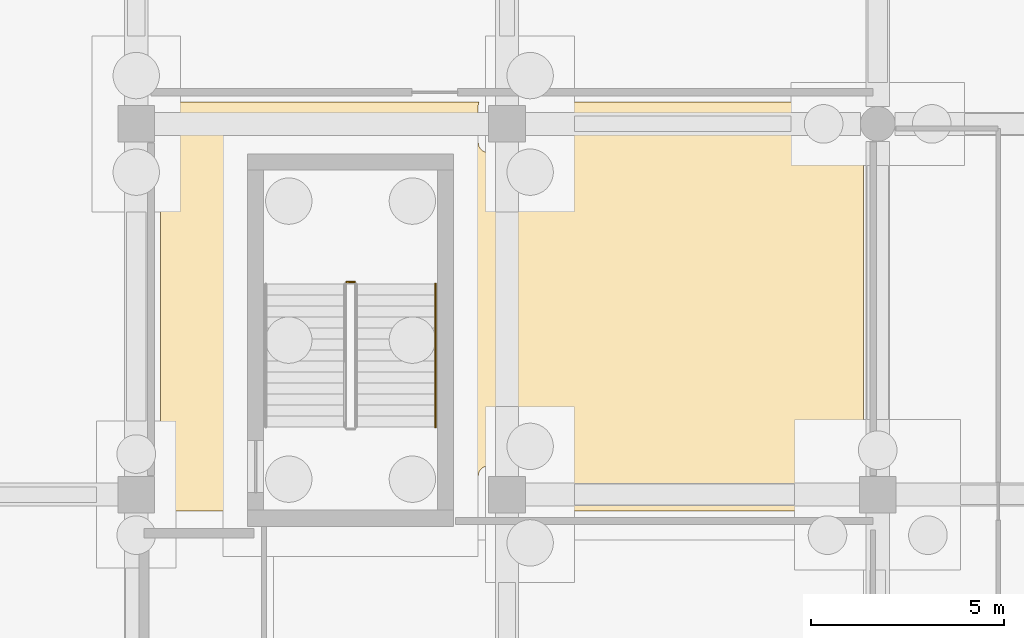
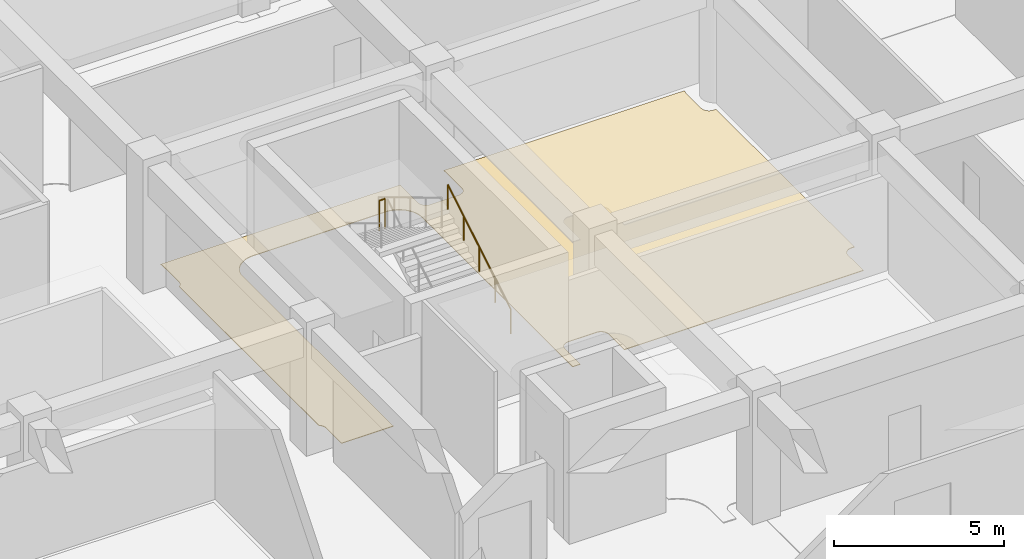
# One storey, part 30 of 47: 2 railings, 1 covering.
"""IFC4 building model written with IfcOpenShell, lengths in metres."""

from ifc_helpers import new_model, si_unit, direction, frame, origin, origin_2d, place, context, subcontext, project, spatial, polyline, circle, outline, extrude, material, layer, layer_set, type_object, element, save


model = new_model("IFC4")

# Units and contexts
model_context = context("Model", 3, precision=1e-05, world=origin(), true_north=direction((0.0, 1.0)))
body_context = subcontext(model_context, "Body", "Model", "MODEL_VIEW")
ifc_project = project(units=[si_unit("LENGTHUNIT", "METRE"), si_unit("AREAUNIT", "SQUARE_METRE"), si_unit("VOLUMEUNIT", "CUBIC_METRE"), si_unit("PLANEANGLEUNIT", "RADIAN"), si_unit("MASSUNIT", "GRAM", prefix="KILO")], contexts=[model_context])

# Site, building, storey
site_placement = place(None, origin())
site = spatial("IfcSite", under=ifc_project, at=site_placement, CompositionType="ELEMENT")
building_placement = place(site_placement, origin())
building = spatial("IfcBuilding", under=site, at=building_placement, Name="Cendralis Terraced Arcade", CompositionType="ELEMENT")
storey_placement = place(building_placement, frame((0.0, 0.0, -4.800048828125)))
storey = spatial("IfcBuildingStorey", under=building, at=storey_placement, Name="B1", CompositionType="ELEMENT", Elevation=-4.800048828125)

# Covering
ifc_material_1 = material(Name="Warm Andean oak timber", Category="wood")
ifc_layer = layer(ifc_material_1, 0.02197265625, Name="COV-FLR-OAK-22")
ifc_layer_set = layer_set([ifc_layer], Name="Warm Andean oak timber")
covering_type = type_object("IfcCoveringType", Name="COV-FLR-OAK-22", PredefinedType="FLOORING", material=ifc_layer_set)
covering_placement = place(storey_placement, origin())
element("IfcCovering", 1, at=covering_placement, inside=storey, type_object=covering_type, Name="Interior Finish Flooring B1-005", PredefinedType="FLOORING", context=body_context, shape_type="SweptSolid", body=[
    extrude(outline(polyline([(48.7451171875, 29.27490234375), (48.74462890625, 29.287353515625), (48.74462890625, 29.289306640625), (48.7421875, 29.313720703125), (48.741943359375, 29.315673828125), (48.737060546875, 29.339599609375), (48.736572265625, 29.341552734375), (48.7294921875, 29.364990234375), (48.72900390625, 29.366943359375), (48.719482421875, 29.389404296875), (48.718505859375, 29.391357421875), (48.70703125, 29.4130859375), (48.7060546875, 29.41455078125), (48.6923828125, 29.43505859375), (48.69140625, 29.4365234375), (48.67578125, 29.45556640625), (48.67431640625, 29.45703125), (48.656982421875, 29.474365234375), (48.655517578125, 29.4755859375), (48.63671875, 29.4912109375), (48.635009765625, 29.492431640625), (48.6298828125, 29.495849609375), (48.6298828125, 37.7041015625), (48.635009765625, 37.70751953125), (48.63671875, 37.708740234375), (48.655517578125, 37.724365234375), (48.656982421875, 37.7255859375), (48.67431640625, 37.742919921875), (48.67578125, 37.744384765625), (48.69140625, 37.763427734375), (48.6923828125, 37.764892578125), (48.7060546875, 37.785400390625), (48.70703125, 37.787109375), (48.718505859375, 37.80859375), (48.719482421875, 37.810546875), (48.72900390625, 37.8330078125), (48.7294921875, 37.8349609375), (48.736572265625, 37.8583984375), (48.737060546875, 37.8603515625), (48.741943359375, 37.884521484375), (48.7421875, 37.886474609375), (48.74462890625, 37.910888671875), (48.74462890625, 37.91259765625), (48.7451171875, 37.925048828125), (48.7451171875, 38.875), (48.74462890625, 38.88720703125), (48.74462890625, 38.88916015625), (48.7421875, 38.91357421875), (48.741943359375, 38.91552734375), (48.737060546875, 38.939697265625), (48.736572265625, 38.941650390625), (48.7294921875, 38.965087890625), (48.72900390625, 38.966796875), (48.7275390625, 38.969970703125), (56.872314453125, 38.969970703125), (56.87109375, 38.966796875), (56.87060546875, 38.965087890625), (56.86328125, 38.941650390625), (56.86279296875, 38.939697265625), (56.858154296875, 38.91552734375), (56.85791015625, 38.91357421875), (56.85546875, 38.88916015625), (56.855224609375, 38.88720703125), (56.85498046875, 38.875), (56.85498046875, 37.925048828125), (56.855224609375, 37.91259765625), (56.85546875, 37.910888671875), (56.85791015625, 37.886474609375), (56.858154296875, 37.884521484375), (56.86279296875, 37.8603515625), (56.86328125, 37.8583984375), (56.87060546875, 37.8349609375), (56.87109375, 37.8330078125), (56.880615234375, 37.810546875), (56.88134765625, 37.80859375), (56.892822265625, 37.787109375), (56.893798828125, 37.785400390625), (56.90771484375, 37.764892578125), (56.90869140625, 37.763427734375), (56.92431640625, 37.744384765625), (56.925537109375, 37.742919921875), (56.943115234375, 37.7255859375), (56.9443359375, 37.724365234375), (56.96337890625, 37.708740234375), (56.965087890625, 37.70751953125), (56.9853515625, 37.69384765625), (56.987060546875, 37.69287109375), (57.0087890625, 37.681396484375), (57.010498046875, 37.680419921875), (57.033203125, 37.671142578125), (57.034912109375, 37.67041015625), (57.058349609375, 37.663330078125), (57.060302734375, 37.662841796875), (57.08447265625, 37.658203125), (57.08642578125, 37.65771484375), (57.11083984375, 37.655517578125), (57.11279296875, 37.6552734375), (57.125, 37.655029296875), (58.074951171875, 37.655029296875), (58.08740234375, 37.6552734375), (58.089111328125, 37.655517578125), (58.113525390625, 37.65771484375), (58.115478515625, 37.658203125), (58.1396484375, 37.662841796875), (58.1416015625, 37.663330078125), (58.1650390625, 37.67041015625), (58.1669921875, 37.671142578125), (58.189453125, 37.680419921875), (58.19140625, 37.681396484375), (58.212890625, 37.69287109375), (58.214599609375, 37.69384765625), (58.235107421875, 37.70751953125), (58.236572265625, 37.708740234375), (58.255615234375, 37.724365234375), (58.257080078125, 37.7255859375), (58.2744140625, 37.742919921875), (58.275634765625, 37.744384765625), (58.291259765625, 37.763427734375), (58.29248046875, 37.764892578125), (58.30615234375, 37.785400390625), (58.30712890625, 37.787109375), (58.318603515625, 37.80859375), (58.319580078125, 37.810546875), (58.328857421875, 37.8330078125), (58.32958984375, 37.8349609375), (58.336669921875, 37.8583984375), (58.337158203125, 37.8603515625), (58.341796875, 37.884521484375), (58.34228515625, 37.886474609375), (58.344482421875, 37.910888671875), (58.3447265625, 37.91259765625), (58.344970703125, 37.925048828125), (58.344970703125, 38.875), (58.3447265625, 38.88720703125), (58.344482421875, 38.88916015625), (58.34228515625, 38.91357421875), (58.341796875, 38.91552734375), (58.337158203125, 38.939697265625), (58.336669921875, 38.941650390625), (58.32958984375, 38.965087890625), (58.328857421875, 38.966796875), (58.32763671875, 38.969970703125), (66.50830078125, 38.969970703125), (66.50634765625, 38.96630859375), (66.505615234375, 38.964599609375), (66.49609375, 38.94189453125), (66.49560546875, 38.93994140625), (66.48828125, 38.91650390625), (66.48779296875, 38.91455078125), (66.483154296875, 38.890625), (66.48291015625, 38.888671875), (66.48046875, 38.8642578125), (66.480224609375, 38.8623046875), (66.47998046875, 38.85009765625), (66.47998046875, 37.949951171875), (66.480224609375, 37.937744140625), (66.48046875, 37.935791015625), (66.48291015625, 37.911376953125), (66.483154296875, 37.909423828125), (66.48779296875, 37.885498046875), (66.48828125, 37.88330078125), (66.49560546875, 37.860107421875), (66.49609375, 37.858154296875), (66.505615234375, 37.83544921875), (66.50634765625, 37.833740234375), (66.517822265625, 37.81201171875), (66.518798828125, 37.810302734375), (66.53271484375, 37.7900390625), (66.53369140625, 37.788330078125), (66.54931640625, 37.769287109375), (66.550537109375, 37.76806640625), (66.568115234375, 37.75048828125), (66.5693359375, 37.749267578125), (66.58837890625, 37.733642578125), (66.590087890625, 37.732666015625), (66.6103515625, 37.718994140625), (66.612060546875, 37.718017578125), (66.6337890625, 37.706298828125), (66.635498046875, 37.70556640625), (66.658203125, 37.696044921875), (66.659912109375, 37.695556640625), (66.683349609375, 37.6884765625), (66.685302734375, 37.68798828125), (66.70947265625, 37.68310546875), (66.71142578125, 37.682861328125), (66.73583984375, 37.680419921875), (66.73779296875, 37.680419921875), (66.75, 37.679931640625), (66.830078125, 37.679931640625), (66.830078125, 29.544921875), (66.72509765625, 29.544921875), (66.712646484375, 29.544677734375), (66.710693359375, 29.544677734375), (66.686279296875, 29.542236328125), (66.684326171875, 29.5419921875), (66.660400390625, 29.537109375), (66.658447265625, 29.53662109375), (66.635009765625, 29.529541015625), (66.633056640625, 29.52880859375), (66.610595703125, 29.51953125), (66.608642578125, 29.5185546875), (66.5869140625, 29.507080078125), (66.58544921875, 29.506103515625), (66.56494140625, 29.492431640625), (66.5634765625, 29.4912109375), (66.54443359375, 29.4755859375), (66.54296875, 29.474365234375), (66.525634765625, 29.45703125), (66.5244140625, 29.45556640625), (66.5087890625, 29.4365234375), (66.507568359375, 29.43505859375), (66.493896484375, 29.41455078125), (66.492919921875, 29.4130859375), (66.4814453125, 29.391357421875), (66.48046875, 29.389404296875), (66.47119140625, 29.366943359375), (66.470458984375, 29.364990234375), (66.46337890625, 29.341552734375), (66.462890625, 29.339599609375), (66.4580078125, 29.315673828125), (66.457763671875, 29.313720703125), (66.455322265625, 29.289306640625), (66.455322265625, 29.287353515625), (66.455078125, 29.27490234375), (66.455078125, 28.3701171875), (58.344970703125, 28.3701171875), (58.344970703125, 29.27490234375), (58.3447265625, 29.287353515625), (58.344482421875, 29.289306640625), (58.34228515625, 29.313720703125), (58.341796875, 29.315673828125), (58.337158203125, 29.339599609375), (58.336669921875, 29.341552734375), (58.32958984375, 29.364990234375), (58.328857421875, 29.366943359375), (58.319580078125, 29.389404296875), (58.318603515625, 29.391357421875), (58.30712890625, 29.4130859375), (58.30615234375, 29.41455078125), (58.29248046875, 29.43505859375), (58.291259765625, 29.4365234375), (58.275634765625, 29.45556640625), (58.2744140625, 29.45703125), (58.257080078125, 29.474365234375), (58.255615234375, 29.4755859375), (58.236572265625, 29.4912109375), (58.235107421875, 29.492431640625), (58.214599609375, 29.506103515625), (58.212890625, 29.507080078125), (58.19140625, 29.5185546875), (58.189453125, 29.51953125), (58.1669921875, 29.52880859375), (58.1650390625, 29.529541015625), (58.1416015625, 29.53662109375), (58.1396484375, 29.537109375), (58.115478515625, 29.5419921875), (58.113525390625, 29.542236328125), (58.089111328125, 29.544677734375), (58.08740234375, 29.544677734375), (58.074951171875, 29.544921875), (57.125, 29.544921875), (57.11279296875, 29.544677734375), (57.11083984375, 29.544677734375), (57.08642578125, 29.542236328125), (57.08447265625, 29.5419921875), (57.060302734375, 29.537109375), (57.058349609375, 29.53662109375), (57.034912109375, 29.529541015625), (57.033203125, 29.52880859375), (57.010498046875, 29.51953125), (57.0087890625, 29.5185546875), (56.987060546875, 29.507080078125), (56.9853515625, 29.506103515625), (56.965087890625, 29.492431640625), (56.96337890625, 29.4912109375), (56.9443359375, 29.4755859375), (56.943115234375, 29.474365234375), (56.925537109375, 29.45703125), (56.92431640625, 29.45556640625), (56.90869140625, 29.4365234375), (56.90771484375, 29.43505859375), (56.893798828125, 29.41455078125), (56.892822265625, 29.4130859375), (56.88134765625, 29.391357421875), (56.880615234375, 29.389404296875), (56.87109375, 29.366943359375), (56.87060546875, 29.364990234375), (56.86328125, 29.341552734375), (56.86279296875, 29.339599609375), (56.858154296875, 29.315673828125), (56.85791015625, 29.313720703125), (56.85546875, 29.289306640625), (56.855224609375, 29.287353515625), (56.85498046875, 29.27490234375), (56.85498046875, 28.3701171875), (56.589111328125, 28.3701171875), (56.589599609375, 28.3818359375), (56.58984375, 28.387939453125), (56.58984375, 28.393798828125), (56.590087890625, 28.39990234375), (56.590087890625, 37.199951171875), (56.58984375, 37.2060546875), (56.58984375, 37.2119140625), (56.589599609375, 37.21826171875), (56.58740234375, 37.25927734375), (56.586669921875, 37.271484375), (56.58544921875, 37.283203125), (56.583984375, 37.29541015625), (56.577880859375, 37.336181640625), (56.57568359375, 37.348388671875), (56.573486328125, 37.35986328125), (56.57080078125, 37.371826171875), (56.560791015625, 37.411865234375), (56.5576171875, 37.423583984375), (56.55419921875, 37.434814453125), (56.55029296875, 37.446533203125), (56.536376953125, 37.4853515625), (56.531982421875, 37.496826171875), (56.527587890625, 37.5078125), (56.5224609375, 37.518798828125), (56.5048828125, 37.55615234375), (56.49951171875, 37.567138671875), (56.493896484375, 37.577392578125), (56.48779296875, 37.588134765625), (56.466552734375, 37.62353515625), (56.4599609375, 37.6337890625), (56.45361328125, 37.643798828125), (56.4462890625, 37.65380859375), (56.421875, 37.68701171875), (56.414306640625, 37.696533203125), (56.40673828125, 37.70556640625), (56.398681640625, 37.71484375), (56.37109375, 37.74560546875), (56.36279296875, 37.75439453125), (56.354248046875, 37.7626953125), (56.345458984375, 37.77099609375), (56.31494140625, 37.798828125), (56.3056640625, 37.806884765625), (56.29638671875, 37.814208984375), (56.286865234375, 37.822021484375), (56.253662109375, 37.846435546875), (56.24365234375, 37.853515625), (56.23388671875, 37.860107421875), (56.2236328125, 37.86669921875), (56.188232421875, 37.8876953125), (56.177490234375, 37.893798828125), (56.1669921875, 37.8994140625), (56.15625, 37.90478515625), (56.118896484375, 37.922607421875), (56.107666015625, 37.927490234375), (56.0966796875, 37.931884765625), (56.08544921875, 37.936279296875), (56.046630859375, 37.9501953125), (56.034912109375, 37.9541015625), (56.023681640625, 37.95751953125), (56.01171875, 37.960693359375), (55.9716796875, 37.970703125), (55.9599609375, 37.973388671875), (55.9482421875, 37.975830078125), (55.936279296875, 37.977783203125), (55.8955078125, 37.98388671875), (55.88330078125, 37.985595703125), (55.87158203125, 37.986572265625), (55.859375, 37.987548828125), (55.818115234375, 37.989501953125), (55.81201171875, 37.98974609375), (55.80615234375, 37.989990234375), (55.800048828125, 37.989990234375), (51.300048828125, 37.989990234375), (51.2939453125, 37.989990234375), (51.2880859375, 37.98974609375), (51.28173828125, 37.989501953125), (51.24072265625, 37.987548828125), (51.228515625, 37.986572265625), (51.216796875, 37.985595703125), (51.20458984375, 37.98388671875), (51.163818359375, 37.977783203125), (51.151611328125, 37.975830078125), (51.14013671875, 37.973388671875), (51.128173828125, 37.970703125), (51.088134765625, 37.960693359375), (51.076416015625, 37.95751953125), (51.065185546875, 37.9541015625), (51.053466796875, 37.9501953125), (51.0146484375, 37.936279296875), (51.003173828125, 37.931884765625), (50.9921875, 37.927490234375), (50.981201171875, 37.922607421875), (50.94384765625, 37.90478515625), (50.932861328125, 37.8994140625), (50.922607421875, 37.893798828125), (50.911865234375, 37.8876953125), (50.87646484375, 37.86669921875), (50.8662109375, 37.860107421875), (50.856201171875, 37.853515625), (50.84619140625, 37.846435546875), (50.81298828125, 37.822021484375), (50.803466796875, 37.814208984375), (50.79443359375, 37.806884765625), (50.78515625, 37.798828125), (50.75439453125, 37.77099609375), (50.74560546875, 37.7626953125), (50.7373046875, 37.75439453125), (50.72900390625, 37.74560546875), (50.701171875, 37.71484375), (50.693115234375, 37.70556640625), (50.685791015625, 37.696533203125), (50.677978515625, 37.68701171875), (50.653564453125, 37.65380859375), (50.646484375, 37.643798828125), (50.639892578125, 37.6337890625), (50.63330078125, 37.62353515625), (50.6123046875, 37.588134765625), (50.606201171875, 37.577392578125), (50.6005859375, 37.567138671875), (50.59521484375, 37.55615234375), (50.577392578125, 37.518798828125), (50.572509765625, 37.5078125), (50.568115234375, 37.496826171875), (50.563720703125, 37.4853515625), (50.5498046875, 37.446533203125), (50.5458984375, 37.434814453125), (50.54248046875, 37.423583984375), (50.539306640625, 37.411865234375), (50.529296875, 37.371826171875), (50.526611328125, 37.35986328125), (50.524169921875, 37.348388671875), (50.522216796875, 37.336181640625), (50.51611328125, 37.29541015625), (50.514404296875, 37.283203125), (50.513427734375, 37.271484375), (50.512451171875, 37.25927734375), (50.510498046875, 37.21826171875), (50.51025390625, 37.2119140625), (50.510009765625, 37.2060546875), (50.510009765625, 37.199951171875), (50.510009765625, 28.39990234375), (50.510009765625, 28.393798828125), (50.51025390625, 28.387939453125), (50.510498046875, 28.3818359375), (50.510986328125, 28.3701171875), (48.7451171875, 28.3701171875), (48.7451171875, 29.27490234375)])), origin(), (0.0, 0.0, 1.0), 0.02197265625),
])

# Railings
ifc_material_2 = material(Name="Brushed stainless steel AISI 316", Category="steel")
railing_type_1 = type_object("IfcRailingType", Name="RL-STAIR-GUARD-1100", PredefinedType="GUARDRAIL", material=ifc_material_2)
railing_1_placement = place(storey_placement, frame((53.64990234375, 34.304931640625, 2.400146484375)))
element("IfcRailing", 2, at=railing_1_placement, inside=storey, type_object=railing_type_1, Name="B1 ST-04 stair guard 2", PredefinedType="GUARDRAIL", context=body_context, shape_type="SweptSolid", body=[
    extrude(circle(Radius=0.02392578125, at=origin_2d()), frame((0.0, 0.0, 1.076171875), z_axis=(-1.0, 0.0, 0.0), x_axis=(0.0, -1.0, 0.0)), (0.0, 0.0, 1.0), 0.199951171875),
    extrude(circle(Radius=0.02099609375, at=origin_2d()), origin(), (0.0, 0.0, 1.0), 1.052001953125),
    extrude(circle(Radius=0.02099609375, at=origin_2d()), frame((-0.199951171875, 0.0, 0.0)), (0.0, 0.0, 1.0), 1.052001953125),
])
railing_type_2 = type_object("IfcRailingType", Name="RL-STAIR-HAND-900", PredefinedType="HANDRAIL", material=ifc_material_2)
railing_2_placement = place(storey_placement, frame((55.75, 30.550048828125, 0.17138671875)))
element("IfcRailing", 3, at=railing_2_placement, inside=storey, type_object=railing_type_2, Name="B1 ST-04 stair handrail 1", PredefinedType="HANDRAIL", context=body_context, shape_type="SweptSolid", body=[
    extrude(circle(Radius=0.02392578125, at=origin_2d()), frame((0.0, 0.0, 0.8759765625), z_axis=(0.0, 0.856894455432, 0.515491893485), x_axis=(-1.0, 0.0, 0.0)), (0.0, 0.0, 1.0), 4.323486328125),
    extrude(circle(Radius=0.02099609375, at=origin_2d()), origin(), (0.0, 0.0, 1.0), 0.851806640625),
    extrude(circle(Radius=0.02099609375, at=origin_2d()), frame((0.0, 0.92626953125, 0.55712890625)), (0.0, 0.0, 1.0), 0.851806640625),
    extrude(circle(Radius=0.02099609375, at=origin_2d()), frame((0.0, 1.8525390625, 1.1142578125)), (0.0, 0.0, 1.0), 0.851806640625),
    extrude(circle(Radius=0.02099609375, at=origin_2d()), frame((0.0, 2.778564453125, 1.671630859375)), (0.0, 0.0, 1.0), 0.851806640625),
    extrude(circle(Radius=0.02099609375, at=origin_2d()), frame((0.0, 3.704833984375, 2.228759765625)), (0.0, 0.0, 1.0), 0.851806640625),
])

save(model, "model.ifc")
